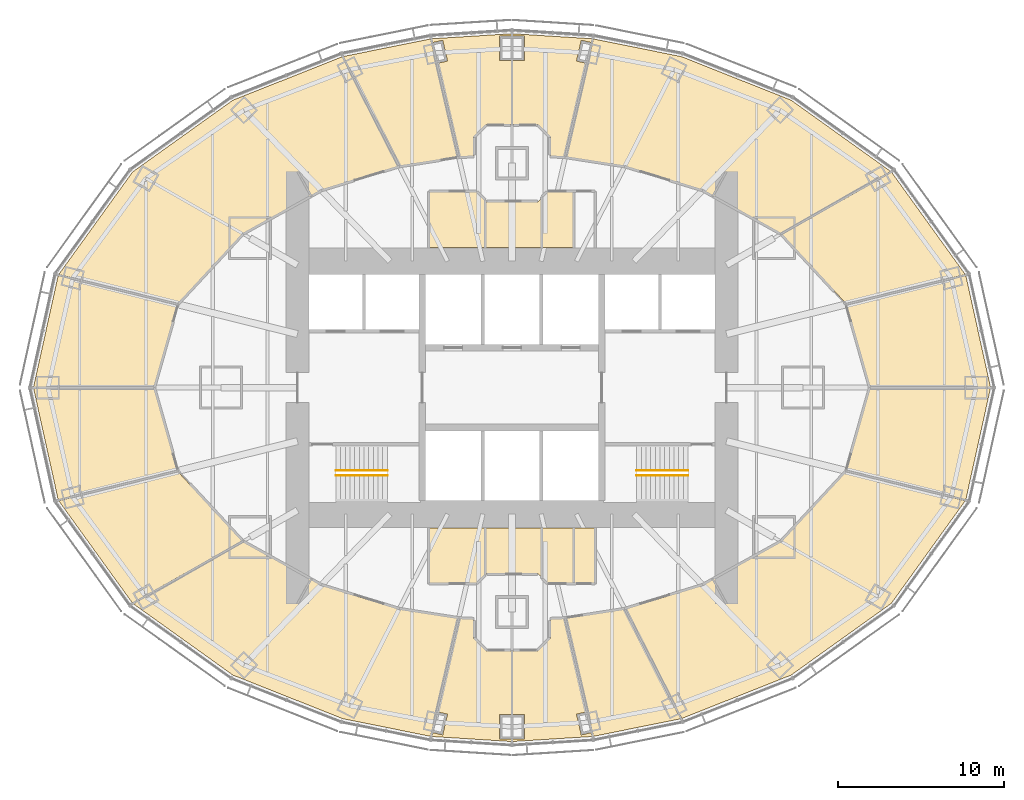
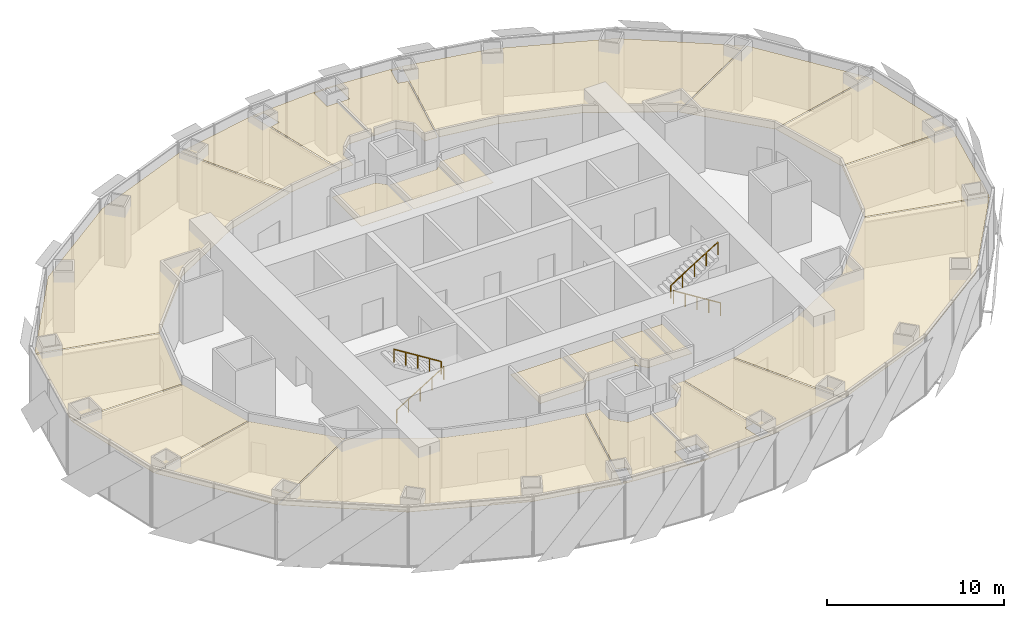
# One storey, part 17 of 17: 23 coverings, 4 railings.
"""IFC4 building model written with IfcOpenShell, lengths in metres."""

from ifc_helpers import new_model, si_unit, direction, frame, origin, origin_2d, place, context, subcontext, project, spatial, polyline, circle, outline, extrude, material, layer, layer_set, type_object, element, save


model = new_model("IFC4")

# Units and contexts
model_context = context("Model", 3, precision=1e-05, world=origin(), true_north=direction((0.0, 1.0)))
body_context = subcontext(model_context, "Body", "Model", "MODEL_VIEW")
ifc_project = project(units=[si_unit("LENGTHUNIT", "METRE"), si_unit("AREAUNIT", "SQUARE_METRE"), si_unit("VOLUMEUNIT", "CUBIC_METRE"), si_unit("PLANEANGLEUNIT", "RADIAN"), si_unit("MASSUNIT", "GRAM", prefix="KILO")], contexts=[model_context])

# Site, building, storey
site_placement = place(None, origin())
site = spatial("IfcSite", under=ifc_project, at=site_placement, CompositionType="ELEMENT")
building_placement = place(site_placement, origin())
building = spatial("IfcBuilding", under=site, at=building_placement, Name="Lantaw Convention Tower", CompositionType="ELEMENT")
storey_placement = place(building_placement, frame((0.0, 0.0, 155.199951171875)))
storey = spatial("IfcBuildingStorey", under=building, at=storey_placement, Name="L36", CompositionType="ELEMENT", Elevation=155.199951171875)

# Railings
ifc_material_1 = material(Name="Stainless steel", Category="steel")
railing_type = type_object("IfcRailingType", Name="Stair handrail", PredefinedType="HANDRAIL", material=ifc_material_1)
railing_1_placement = place(storey_placement, frame((-10.580078125, -5.280029296875, 0.175048828125)))
element("IfcRailing", 1, at=railing_1_placement, inside=storey, type_object=railing_type, Name="Stair handrail S1", PredefinedType="HANDRAIL", context=body_context, shape_type="SweptSolid", body=[
    extrude(circle(Radius=0.02392578125, at=origin_2d()), frame((0.0, 0.0, 0.8759765625), z_axis=(0.847998304005, 0.0, 0.529998940003), x_axis=(0.0, 1.0, 0.0)), (0.0, 0.0, 1.0), 3.632080078125),
    extrude(circle(Radius=0.02099609375, at=origin_2d()), origin(), (0.0, 0.0, 1.0), 0.851806640625),
    extrude(circle(Radius=0.02099609375, at=origin_2d()), frame((0.77001953125, 0.0, 0.481201171875)), (0.0, 0.0, 1.0), 0.851806640625),
    extrude(circle(Radius=0.02099609375, at=origin_2d()), frame((1.5400390625, 0.0, 0.96240234375)), (0.0, 0.0, 1.0), 0.851806640625),
    extrude(circle(Radius=0.02099609375, at=origin_2d()), frame((2.31005859375, 0.0, 1.44384765625)), (0.0, 0.0, 1.0), 0.851806640625),
    extrude(circle(Radius=0.02099609375, at=origin_2d()), frame((3.080078125, 0.0, 1.925048828125)), (0.0, 0.0, 1.0), 0.851806640625),
])
railing_2_placement = place(storey_placement, frame((-7.5, -4.97998046875, 2.275146484375)))
element("IfcRailing", 2, at=railing_2_placement, inside=storey, type_object=railing_type, Name="Stair handrail S1", PredefinedType="HANDRAIL", context=body_context, shape_type="SweptSolid", body=[
    extrude(circle(Radius=0.02392578125, at=origin_2d()), frame((0.0, 0.0, 0.8759765625), z_axis=(-0.848028513186, 0.0, 0.529950602248), x_axis=(0.0, -1.0, 0.0)), (0.0, 0.0, 1.0), 3.632080078125),
    extrude(circle(Radius=0.02099609375, at=origin_2d()), origin(), (0.0, 0.0, 1.0), 0.851806640625),
    extrude(circle(Radius=0.02099609375, at=origin_2d()), frame((-0.77001953125, 0.0, 0.481201171875)), (0.0, 0.0, 1.0), 0.851806640625),
    extrude(circle(Radius=0.02099609375, at=origin_2d()), frame((-1.5400390625, 0.0, 0.96240234375)), (0.0, 0.0, 1.0), 0.851806640625),
    extrude(circle(Radius=0.02099609375, at=origin_2d()), frame((-2.31005859375, 0.0, 1.443603515625)), (0.0, 0.0, 1.0), 0.851806640625),
    extrude(circle(Radius=0.02099609375, at=origin_2d()), frame((-3.080078125, 0.0, 1.9248046875)), (0.0, 0.0, 1.0), 0.851806640625),
])
railing_3_placement = place(storey_placement, frame((10.580078125, -5.280029296875, 0.175048828125)))
element("IfcRailing", 3, at=railing_3_placement, inside=storey, type_object=railing_type, Name="Stair handrail S2", PredefinedType="HANDRAIL", context=body_context, shape_type="SweptSolid", body=[
    extrude(circle(Radius=0.02392578125, at=origin_2d()), frame((0.0, 0.0, 0.8759765625), z_axis=(-0.847998304005, 0.0, 0.529998940003), x_axis=(0.0, -1.0, 0.0)), (0.0, 0.0, 1.0), 3.632080078125),
    extrude(circle(Radius=0.02099609375, at=origin_2d()), origin(), (0.0, 0.0, 1.0), 0.851806640625),
    extrude(circle(Radius=0.02099609375, at=origin_2d()), frame((-0.77001953125, 0.0, 0.481201171875)), (0.0, 0.0, 1.0), 0.851806640625),
    extrude(circle(Radius=0.02099609375, at=origin_2d()), frame((-1.5400390625, 0.0, 0.96240234375)), (0.0, 0.0, 1.0), 0.851806640625),
    extrude(circle(Radius=0.02099609375, at=origin_2d()), frame((-2.31005859375, 0.0, 1.44384765625)), (0.0, 0.0, 1.0), 0.851806640625),
    extrude(circle(Radius=0.02099609375, at=origin_2d()), frame((-3.080078125, 0.0, 1.925048828125)), (0.0, 0.0, 1.0), 0.851806640625),
])
railing_4_placement = place(storey_placement, frame((7.5, -4.97998046875, 2.275146484375)))
element("IfcRailing", 4, at=railing_4_placement, inside=storey, type_object=railing_type, Name="Stair handrail S2", PredefinedType="HANDRAIL", context=body_context, shape_type="SweptSolid", body=[
    extrude(circle(Radius=0.02392578125, at=origin_2d()), frame((0.0, 0.0, 0.8759765625), z_axis=(0.848028513186, 0.0, 0.529950602248), x_axis=(0.0, 1.0, 0.0)), (0.0, 0.0, 1.0), 3.632080078125),
    extrude(circle(Radius=0.02099609375, at=origin_2d()), origin(), (0.0, 0.0, 1.0), 0.851806640625),
    extrude(circle(Radius=0.02099609375, at=origin_2d()), frame((0.77001953125, 0.0, 0.481201171875)), (0.0, 0.0, 1.0), 0.851806640625),
    extrude(circle(Radius=0.02099609375, at=origin_2d()), frame((1.5400390625, 0.0, 0.96240234375)), (0.0, 0.0, 1.0), 0.851806640625),
    extrude(circle(Radius=0.02099609375, at=origin_2d()), frame((2.31005859375, 0.0, 1.443603515625)), (0.0, 0.0, 1.0), 0.851806640625),
    extrude(circle(Radius=0.02099609375, at=origin_2d()), frame((3.080078125, 0.0, 1.9248046875)), (0.0, 0.0, 1.0), 0.851806640625),
])

# Coverings
ifc_material_2 = material(Name="Gypsum board on steel suspension grid", Category="steel")
ifc_layer = layer(ifc_material_2, 0.02001953125)
ifc_layer_set = layer_set([ifc_layer], Name="Suspended ceiling")
covering_type = type_object("IfcCoveringType", Name="Suspended ceiling", PredefinedType="CEILING", material=ifc_layer_set)
covering_1_placement = place(storey_placement, frame((0.0, 0.0, 3.449951171875)))
element("IfcCovering", 5, at=covering_1_placement, inside=storey, type_object=covering_type, Name="Male WC ceiling", PredefinedType="CEILING", context=body_context, shape_type="SweptSolid", body=[
    extrude(outline(polyline([(-4.9599609375, 11.760009765625), (-4.9599609375, 8.43994140625), (-1.639892578125, 8.43994140625), (-1.639892578125, 11.26611328125), (-2.1337890625, 11.760009765625), (-4.9599609375, 11.760009765625)])), origin(), (0.0, 0.0, 1.0), 0.02001953125),
])
covering_2_placement = place(storey_placement, frame((0.0, 0.0, 3.449951171875)))
element("IfcCovering", 6, at=covering_2_placement, inside=storey, type_object=covering_type, Name="Female WC ceiling", PredefinedType="CEILING", context=body_context, shape_type="SweptSolid", body=[
    extrude(outline(polyline([(-1.56005859375, 11.186279296875), (-1.56005859375, 8.43994140625), (1.760009765625, 8.43994140625), (1.760009765625, 11.38623046875), (1.548828125, 11.175048828125), (-1.548828125, 11.175048828125), (-1.56005859375, 11.186279296875)])), origin(), (0.0, 0.0, 1.0), 0.02001953125),
])
covering_3_placement = place(storey_placement, frame((0.0, 0.0, 3.449951171875)))
element("IfcCovering", 7, at=covering_3_placement, inside=storey, type_object=covering_type, Name="Accessible WC ceiling", PredefinedType="CEILING", context=body_context, shape_type="SweptSolid", body=[
    extrude(outline(polyline([(1.840087890625, 11.466064453125), (1.840087890625, 8.43994140625), (3.659912109375, 8.43994140625), (3.659912109375, 11.760009765625), (2.1337890625, 11.760009765625), (1.840087890625, 11.466064453125)])), origin(), (0.0, 0.0, 1.0), 0.02001953125),
])
covering_4_placement = place(storey_placement, frame((0.0, 0.0, 3.449951171875)))
element("IfcCovering", 8, at=covering_4_placement, inside=storey, type_object=covering_type, Name="Male WC ceiling", PredefinedType="CEILING", context=body_context, shape_type="SweptSolid", body=[
    extrude(outline(polyline([(-4.9599609375, -8.43994140625), (-4.9599609375, -11.760009765625), (-2.1337890625, -11.760009765625), (-1.639892578125, -11.26611328125), (-1.639892578125, -8.43994140625), (-4.9599609375, -8.43994140625)])), origin(), (0.0, 0.0, 1.0), 0.02001953125),
])
covering_5_placement = place(storey_placement, frame((0.0, 0.0, 3.449951171875)))
element("IfcCovering", 9, at=covering_5_placement, inside=storey, type_object=covering_type, Name="Female WC ceiling", PredefinedType="CEILING", context=body_context, shape_type="SweptSolid", body=[
    extrude(outline(polyline([(-1.56005859375, -11.186279296875), (-1.548828125, -11.175048828125), (1.548828125, -11.175048828125), (1.760009765625, -11.38623046875), (1.760009765625, -8.43994140625), (-1.56005859375, -8.43994140625), (-1.56005859375, -11.186279296875)])), origin(), (0.0, 0.0, 1.0), 0.02001953125),
])
covering_6_placement = place(storey_placement, frame((0.0, 0.0, 3.449951171875)))
element("IfcCovering", 10, at=covering_6_placement, inside=storey, type_object=covering_type, Name="Accessible WC ceiling", PredefinedType="CEILING", context=body_context, shape_type="SweptSolid", body=[
    extrude(outline(polyline([(1.840087890625, -8.43994140625), (1.840087890625, -11.466064453125), (2.1337890625, -11.760009765625), (3.659912109375, -11.760009765625), (3.659912109375, -8.43994140625), (1.840087890625, -8.43994140625)])), origin(), (0.0, 0.0, 1.0), 0.02001953125),
])
covering_7_placement = place(storey_placement, frame((0.0, 0.0, 3.449951171875)))
element("IfcCovering", 11, at=covering_7_placement, inside=storey, type_object=covering_type, Name="Pantry ceiling", PredefinedType="CEILING", context=body_context, shape_type="SweptSolid", body=[
    extrude(outline(polyline([(3.739990234375, -11.760009765625), (4.9599609375, -11.760009765625), (4.9599609375, -8.43994140625), (3.739990234375, -8.43994140625), (3.739990234375, -11.760009765625)])), origin(), (0.0, 0.0, 1.0), 0.02001953125),
])
covering_8_placement = place(storey_placement, frame((0.0, 0.0, 3.449951171875)))
element("IfcCovering", 12, at=covering_8_placement, inside=storey, type_object=covering_type, Name="Meeting room ceiling", PredefinedType="CEILING", context=body_context, shape_type="SweptSolid", body=[
    extrude(outline(polyline([(21.5302734375, 0.0400390625), (28.77099609375, 0.0400390625), (27.2939453125, 6.731689453125), (20.128173828125, 4.97705078125), (21.5302734375, 0.0400390625)])), origin(), (0.0, 0.0, 1.0), 0.02001953125),
])
covering_9_placement = place(storey_placement, frame((0.0, 0.0, 3.449951171875)))
element("IfcCovering", 13, at=covering_9_placement, inside=storey, type_object=covering_type, Name="Private office ceiling", PredefinedType="CEILING", context=body_context, shape_type="SweptSolid", body=[
    extrude(outline(polyline([(20.091796875, 5.050537109375), (27.257080078125, 6.80517578125), (22.832275390625, 12.947265625), (16.2236328125, 9.224365234375), (20.091796875, 5.050537109375)])), origin(), (0.0, 0.0, 1.0), 0.02001953125),
])
covering_10_placement = place(storey_placement, frame((0.0, 0.0, 3.449951171875)))
element("IfcCovering", 14, at=covering_10_placement, inside=storey, type_object=covering_type, Name="Tenant suite ceiling", PredefinedType="CEILING", context=body_context, shape_type="SweptSolid", body=[
    extrude(outline(polyline([(16.159912109375, 9.280029296875), (22.76953125, 13.003662109375), (16.778076171875, 17.29150390625), (10.1865234375, 19.90576171875), (4.899658203125, 20.970947265625), (3.244873046875, 13.87744140625), (6.779541015625, 13.326904296875), (11.460693359375, 11.888671875), (16.159912109375, 9.280029296875)])), origin(), (0.0, 0.0, 1.0), 0.02001953125),
])
covering_11_placement = place(storey_placement, frame((0.0, 0.0, 3.449951171875)))
element("IfcCovering", 15, at=covering_11_placement, inside=storey, type_object=covering_type, Name="Pantry ceiling", PredefinedType="CEILING", context=body_context, shape_type="SweptSolid", body=[
    extrude(outline(polyline([(2.324951171875, 15.048828125), (2.324951171875, 13.927001953125), (3.164794921875, 13.885986328125), (4.47509765625, 19.50244140625), (3.87744140625, 19.640380859375), (4.16552734375, 20.8876953125), (4.765869140625, 20.7490234375), (4.81982421875, 20.98095703125), (0.0400390625, 21.281982421875), (0.0400390625, 21.139892578125), (0.739990234375, 21.139892578125), (0.739990234375, 19.659912109375), (0.0400390625, 19.659912109375), (0.0400390625, 15.824951171875), (1.548828125, 15.824951171875), (2.324951171875, 15.048828125)])), origin(), (0.0, 0.0, 1.0), 0.02001953125),
])
covering_12_placement = place(storey_placement, frame((0.0, 0.0, 3.449951171875)))
element("IfcCovering", 16, at=covering_12_placement, inside=storey, type_object=covering_type, Name="Meeting room ceiling", PredefinedType="CEILING", context=body_context, shape_type="SweptSolid", body=[
    extrude(outline(polyline([(-4.47509765625, 19.50244140625), (-3.164794921875, 13.885986328125), (-2.324951171875, 13.927001953125), (-2.324951171875, 15.048828125), (-1.548828125, 15.824951171875), (-0.0400390625, 15.824951171875), (-0.0400390625, 19.659912109375), (-0.739990234375, 19.659912109375), (-0.739990234375, 21.139892578125), (-0.0400390625, 21.139892578125), (-0.0400390625, 21.281982421875), (-4.81982421875, 20.98095703125), (-4.765869140625, 20.7490234375), (-4.16552734375, 20.8876953125), (-3.87744140625, 19.640380859375), (-4.47509765625, 19.50244140625)])), origin(), (0.0, 0.0, 1.0), 0.02001953125),
])
covering_13_placement = place(storey_placement, frame((0.0, 0.0, 3.449951171875)))
element("IfcCovering", 17, at=covering_13_placement, inside=storey, type_object=covering_type, Name="Private office ceiling", PredefinedType="CEILING", context=body_context, shape_type="SweptSolid", body=[
    extrude(outline(polyline([(-3.244873046875, 13.87744140625), (-4.899658203125, 20.970947265625), (-10.13818359375, 19.91552734375), (-6.748046875, 13.331787109375), (-3.244873046875, 13.87744140625)])), origin(), (0.0, 0.0, 1.0), 0.02001953125),
])
covering_14_placement = place(storey_placement, frame((0.0, 0.0, 3.449951171875)))
element("IfcCovering", 18, at=covering_14_placement, inside=storey, type_object=covering_type, Name="Tenant suite ceiling", PredefinedType="CEILING", context=body_context, shape_type="SweptSolid", body=[
    extrude(outline(polyline([(-6.827880859375, 13.31201171875), (-10.217041015625, 19.893798828125), (-16.778076171875, 17.29150390625), (-22.815185546875, 12.970947265625), (-27.257080078125, 6.80517578125), (-20.091796875, 5.050537109375), (-16.18505859375, 9.26611328125), (-11.460693359375, 11.888671875), (-6.827880859375, 13.31201171875)])), origin(), (0.0, 0.0, 1.0), 0.02001953125),
])
covering_15_placement = place(storey_placement, frame((0.0, 0.0, 3.449951171875)))
element("IfcCovering", 19, at=covering_15_placement, inside=storey, type_object=covering_type, Name="Pantry ceiling", PredefinedType="CEILING", context=body_context, shape_type="SweptSolid", body=[
    extrude(outline(polyline([(-20.128173828125, 4.97705078125), (-27.2939453125, 6.731689453125), (-28.77099609375, 0.0400390625), (-21.5302734375, 0.0400390625), (-20.128173828125, 4.97705078125)])), origin(), (0.0, 0.0, 1.0), 0.02001953125),
])
covering_16_placement = place(storey_placement, frame((0.0, 0.0, 3.449951171875)))
element("IfcCovering", 20, at=covering_16_placement, inside=storey, type_object=covering_type, Name="Meeting room ceiling", PredefinedType="CEILING", context=body_context, shape_type="SweptSolid", body=[
    extrude(outline(polyline([(-21.5302734375, -0.0400390625), (-28.77099609375, -0.0400390625), (-27.2939453125, -6.731689453125), (-20.128173828125, -4.97705078125), (-21.5302734375, -0.0400390625)])), origin(), (0.0, 0.0, 1.0), 0.02001953125),
])
covering_17_placement = place(storey_placement, frame((0.0, 0.0, 3.449951171875)))
element("IfcCovering", 21, at=covering_17_placement, inside=storey, type_object=covering_type, Name="Private office ceiling", PredefinedType="CEILING", context=body_context, shape_type="SweptSolid", body=[
    extrude(outline(polyline([(-20.091796875, -5.050537109375), (-27.257080078125, -6.80517578125), (-22.832275390625, -12.947265625), (-16.2236328125, -9.224365234375), (-20.091796875, -5.050537109375)])), origin(), (0.0, 0.0, 1.0), 0.02001953125),
])
covering_18_placement = place(storey_placement, frame((0.0, 0.0, 3.449951171875)))
element("IfcCovering", 22, at=covering_18_placement, inside=storey, type_object=covering_type, Name="Tenant suite ceiling", PredefinedType="CEILING", context=body_context, shape_type="SweptSolid", body=[
    extrude(outline(polyline([(-16.159912109375, -9.280029296875), (-22.76953125, -13.003662109375), (-16.778076171875, -17.29150390625), (-10.1865234375, -19.90576171875), (-4.899658203125, -20.970947265625), (-3.244873046875, -13.87744140625), (-6.779541015625, -13.326904296875), (-11.460693359375, -11.888671875), (-16.159912109375, -9.280029296875)])), origin(), (0.0, 0.0, 1.0), 0.02001953125),
])
covering_19_placement = place(storey_placement, frame((0.0, 0.0, 3.449951171875)))
element("IfcCovering", 23, at=covering_19_placement, inside=storey, type_object=covering_type, Name="Pantry ceiling", PredefinedType="CEILING", context=body_context, shape_type="SweptSolid", body=[
    extrude(outline(polyline([(-2.324951171875, -15.048828125), (-2.324951171875, -13.927001953125), (-3.164794921875, -13.885986328125), (-4.47509765625, -19.50244140625), (-3.87744140625, -19.640380859375), (-4.16552734375, -20.8876953125), (-4.765869140625, -20.7490234375), (-4.81982421875, -20.98095703125), (-0.0400390625, -21.281982421875), (-0.0400390625, -21.139892578125), (-0.739990234375, -21.139892578125), (-0.739990234375, -19.659912109375), (-0.0400390625, -19.659912109375), (-0.0400390625, -15.824951171875), (-1.548828125, -15.824951171875), (-2.324951171875, -15.048828125)])), origin(), (0.0, 0.0, 1.0), 0.02001953125),
])
covering_20_placement = place(storey_placement, frame((0.0, 0.0, 3.449951171875)))
element("IfcCovering", 24, at=covering_20_placement, inside=storey, type_object=covering_type, Name="Meeting room ceiling", PredefinedType="CEILING", context=body_context, shape_type="SweptSolid", body=[
    extrude(outline(polyline([(4.47509765625, -19.50244140625), (3.164794921875, -13.885986328125), (2.324951171875, -13.927001953125), (2.324951171875, -15.048828125), (1.548828125, -15.824951171875), (0.0400390625, -15.824951171875), (0.0400390625, -19.659912109375), (0.739990234375, -19.659912109375), (0.739990234375, -21.139892578125), (0.0400390625, -21.139892578125), (0.0400390625, -21.281982421875), (4.81982421875, -20.98095703125), (4.765869140625, -20.7490234375), (4.16552734375, -20.8876953125), (3.87744140625, -19.640380859375), (4.47509765625, -19.50244140625)])), origin(), (0.0, 0.0, 1.0), 0.02001953125),
])
covering_21_placement = place(storey_placement, frame((0.0, 0.0, 3.449951171875)))
element("IfcCovering", 25, at=covering_21_placement, inside=storey, type_object=covering_type, Name="Private office ceiling", PredefinedType="CEILING", context=body_context, shape_type="SweptSolid", body=[
    extrude(outline(polyline([(3.244873046875, -13.87744140625), (4.899658203125, -20.970947265625), (10.13818359375, -19.91552734375), (6.748046875, -13.331787109375), (3.244873046875, -13.87744140625)])), origin(), (0.0, 0.0, 1.0), 0.02001953125),
])
covering_22_placement = place(storey_placement, frame((0.0, 0.0, 3.449951171875)))
element("IfcCovering", 26, at=covering_22_placement, inside=storey, type_object=covering_type, Name="Tenant suite ceiling", PredefinedType="CEILING", context=body_context, shape_type="SweptSolid", body=[
    extrude(outline(polyline([(6.827880859375, -13.31201171875), (10.217041015625, -19.893798828125), (16.778076171875, -17.29150390625), (22.815185546875, -12.970947265625), (27.257080078125, -6.80517578125), (20.091796875, -5.050537109375), (16.18505859375, -9.26611328125), (11.460693359375, -11.888671875), (6.827880859375, -13.31201171875)])), origin(), (0.0, 0.0, 1.0), 0.02001953125),
])
covering_23_placement = place(storey_placement, frame((0.0, 0.0, 3.449951171875)))
element("IfcCovering", 27, at=covering_23_placement, inside=storey, type_object=covering_type, Name="Pantry ceiling", PredefinedType="CEILING", context=body_context, shape_type="SweptSolid", body=[
    extrude(outline(polyline([(20.128173828125, -4.97705078125), (27.2939453125, -6.731689453125), (28.77099609375, -0.0400390625), (21.5302734375, -0.0400390625), (20.128173828125, -4.97705078125)])), origin(), (0.0, 0.0, 1.0), 0.02001953125),
])

save(model, "model.ifc")
